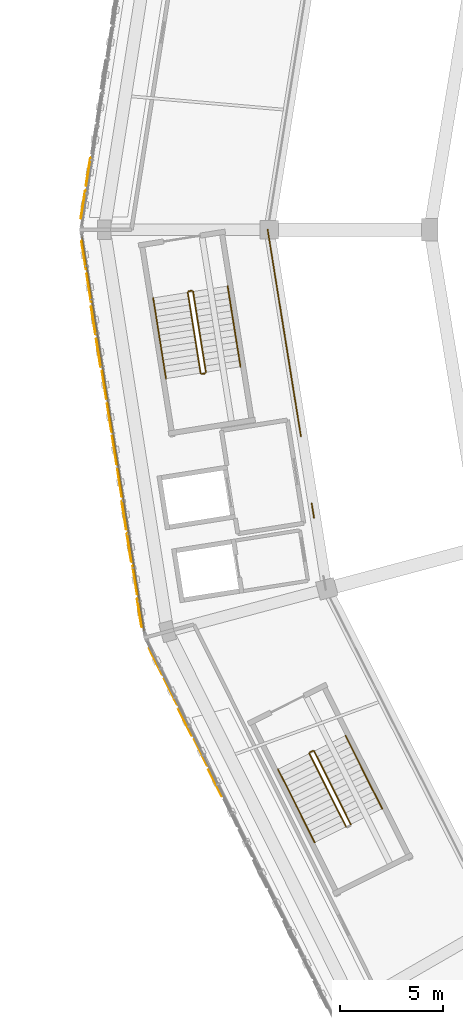
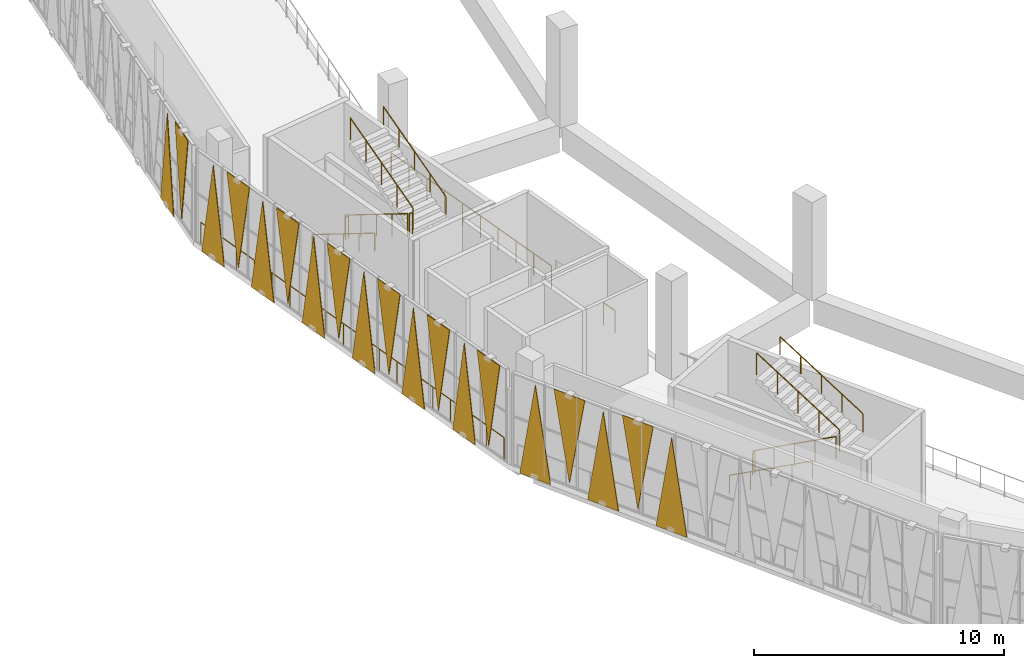
# One storey, part 88 of 108: 19 coverings, 14 railings.
"""IFC4 building model written with IfcOpenShell, lengths in metres."""

import ifcopenshell
import ifcopenshell.guid

model = None  # the IFC model being written
_history = None  # IfcOwnerHistory: only IFC2X3 demands one
_inside = {}  # id of a spatial element -> (the spatial element, [elements in it])
_under = {}  # id of a project, library or spatial element -> (it, [spatial elements below it])
_declared = {}  # id of a project -> (the project, [libraries it declares])
_typed = {}  # id of a type object -> (the type object, [elements of that type])
_made_of = {}  # id of a material, layer set ... -> (it, [elements and type objects made of it])


def new_model(schema):
    """Start an empty IFC model of exactly this schema.

    Asked for "IFC4X3", IfcOpenShell would pick the latest addendum, in which some entities
    have other attributes; the version numbers below select the first issue.
    IFC2X3 requires an IfcOwnerHistory on every rooted entity: one is made here for all.
    """
    global model, _history
    if schema == "IFC4X3":
        model = ifcopenshell.file(schema_version=(4, 3, 0, 0))
    else:
        model = ifcopenshell.file(schema=schema)
    _inside.clear()
    _under.clear()
    _declared.clear()
    _typed.clear()
    _made_of.clear()
    _history = None
    if model.schema == "IFC2X3":
        org = make("IfcOrganization", Name="unknown")
        user = make(
            "IfcPersonAndOrganization",
            ThePerson=make("IfcPerson", FamilyName="unknown"),
            TheOrganization=org,
        )
        app = make(
            "IfcApplication",
            ApplicationDeveloper=org,
            Version="unknown",
            ApplicationFullName="unknown",
            ApplicationIdentifier="unknown",
        )
        _history = make(
            "IfcOwnerHistory",
            OwningUser=user,
            OwningApplication=app,
            ChangeAction="ADDED",
            CreationDate=0,
        )
    return model


def make(cls, **values):
    """One entity of the class cls with the attributes given. An attribute that is None is left unset."""
    return model.create_entity(
        cls, **{name: value for name, value in values.items() if value is not None}
    )


def rooted(cls, **values):
    """An entity with a GlobalId (a new one), such as an element, a storey or a relation."""
    return make(cls, GlobalId=ifcopenshell.guid.new(), OwnerHistory=_history, **values)


def si_unit(unit_type, name, prefix=None):
    """IfcSIUnit, for example si_unit("LENGTHUNIT", "METRE", prefix="MILLI")."""
    return make("IfcSIUnit", UnitType=unit_type, Prefix=prefix, Name=name)


def assignment(units):
    """IfcUnitAssignment: the units of a project."""
    return None if units is None else make("IfcUnitAssignment", Units=units)


def point(xyz):
    """IfcCartesianPoint."""
    return None if xyz is None else make("IfcCartesianPoint", Coordinates=xyz)


def direction(xyz):
    """IfcDirection."""
    return None if xyz is None else make("IfcDirection", DirectionRatios=xyz)


def frame(location, z_axis=None, x_axis=None):
    """IfcAxis2Placement3D, a coordinate frame: its origin and axes. An axis left out is left unset."""
    return make(
        "IfcAxis2Placement3D",
        Location=point(location),
        Axis=direction(z_axis),
        RefDirection=direction(x_axis),
    )


def frame_2d(location, x_axis=None):
    """IfcAxis2Placement2D, a coordinate frame in the plane: its origin and x axis."""
    return make(
        "IfcAxis2Placement2D", Location=point(location), RefDirection=direction(x_axis)
    )


def origin():
    """The frame at (0, 0, 0) with its axes left unset."""
    return frame((0.0, 0.0, 0.0))


def origin_2d():
    """The frame at (0, 0) in the plane with its x axis left unset."""
    return frame_2d((0.0, 0.0))


def place(relative_to, where):
    """IfcLocalPlacement: puts the frame where relative to a parent placement (None: the world)."""
    return make(
        "IfcLocalPlacement", PlacementRelTo=relative_to, RelativePlacement=where
    )


def context(
    kind, dimensions, precision=None, world=None, true_north=None, identifier=None
):
    """IfcGeometricRepresentationContext, for example the 3D "Model" context."""
    return make(
        "IfcGeometricRepresentationContext",
        ContextIdentifier=identifier,
        ContextType=kind,
        CoordinateSpaceDimension=dimensions,
        Precision=precision,
        WorldCoordinateSystem=world,
        TrueNorth=true_north,
    )


def subcontext(parent, identifier, kind, view, scale=None):
    """IfcGeometricRepresentationSubContext, for example "Body" below "Model"."""
    return make(
        "IfcGeometricRepresentationSubContext",
        ContextIdentifier=identifier,
        ContextType=kind,
        ParentContext=parent,
        TargetScale=scale,
        TargetView=view,
    )


def project(units=None, contexts=None):
    """IfcProject with its units and contexts."""
    return rooted(
        "IfcProject",
        Name="project",
        RepresentationContexts=contexts,
        UnitsInContext=assignment(units),
    )


def spatial(cls, under=None, at=None, **own):
    """A site, building, storey or space (cls), placed at a placement, below another one or the project."""
    s = rooted(cls, ObjectPlacement=at, **own)
    if under is not None:
        _under.setdefault(under.id(), (under, []))[1].append(s)
    return s


def polyline(points):
    """IfcPolyline through the points."""
    return make("IfcPolyline", Points=[point(p) for p in points])


def profile(cls, at=None, kind="AREA", **sizes):
    """A parametric profile (cls). Its sizes go by their IFC names, for example OverallWidth=200.0."""
    return make(cls, ProfileType=kind, Position=at, **sizes)


def circle(**sizes):
    """IfcCircleProfileDef."""
    return profile("IfcCircleProfileDef", **sizes)


def outline(outer, holes=None, kind="AREA"):
    """IfcArbitraryClosedProfileDef: a profile drawn as a closed curve; with holes, ...WithVoids."""
    if holes is None:
        return make("IfcArbitraryClosedProfileDef", ProfileType=kind, OuterCurve=outer)
    return make(
        "IfcArbitraryProfileDefWithVoids",
        ProfileType=kind,
        OuterCurve=outer,
        InnerCurves=holes,
    )


def extrude(swept, where, along, depth):
    """IfcExtrudedAreaSolid: the profile swept, set in the frame where, extruded along a direction by depth."""
    return make(
        "IfcExtrudedAreaSolid",
        SweptArea=swept,
        Position=where,
        ExtrudedDirection=direction(along),
        Depth=depth,
    )


def shape(context_of_items, identifier, shape_type, items):
    """IfcShapeRepresentation: the items that make up one representation, for example the "Body"."""
    return make(
        "IfcShapeRepresentation",
        ContextOfItems=context_of_items,
        RepresentationIdentifier=identifier,
        RepresentationType=shape_type,
        Items=items,
    )


def material(Name=None, Category=None):
    """IfcMaterial."""
    return make("IfcMaterial", Name=Name, Category=Category)


def layer(
    of_material, thickness, ventilated=None, Name=None, Category=None, Priority=None
):
    """IfcMaterialLayer: one layer of a wall or slab, of a material (None: an air gap)."""
    return make(
        "IfcMaterialLayer",
        Material=of_material,
        LayerThickness=thickness,
        IsVentilated=ventilated,
        Name=Name,
        Category=Category,
        Priority=Priority,
    )


def layer_set(layers, Name=None):
    """IfcMaterialLayerSet."""
    return make("IfcMaterialLayerSet", MaterialLayers=layers, LayerSetName=Name)


def made_of(thing, what):
    """Note that an element or type object is made of a material, layer set ...; save() writes the relation."""
    if what is not None:
        _made_of.setdefault(what.id(), (what, []))[1].append(thing)
    return thing


def type_object(cls, material=None, **own):
    """A type object (cls), such as IfcWallType, which elements share."""
    return made_of(rooted(cls, **own), material)


def element(
    cls,
    number,
    at=None,
    inside=None,
    cuts=None,
    type_object=None,
    material=None,
    context=None,
    identifier="Body",
    shape_type=None,
    held_by="IfcProductDefinitionShape",
    body=None,
    shapes=None,
    **own,
):
    """One element of the class cls, such as IfcWall. Its Tag is "e" and its number.

    at: its placement. inside: the storey or other place that contains it. cuts: it is an
    opening in that element (IfcRelVoidsElement). A single representation is given by context,
    identifier, shape_type and body (its items); several are given by shapes. held_by: the class
    of the entity that holds the representations. save() writes the other relations.
    """
    e = rooted(cls, Tag="e%d" % number, ObjectPlacement=at, **own)
    if body is not None:
        shapes = [shape(context, identifier, shape_type, body)]
    if shapes is not None:
        e.Representation = make(held_by, Representations=shapes)
    if inside is not None:
        _inside.setdefault(inside.id(), (inside, []))[1].append(e)
    if cuts is not None:
        rooted(
            "IfcRelVoidsElement", RelatingBuildingElement=cuts, RelatedOpeningElement=e
        )
    if type_object is not None:
        _typed.setdefault(type_object.id(), (type_object, []))[1].append(e)
    return made_of(e, material)


def aggregate(whole, parts):
    """IfcRelAggregates: a whole, such as a stair, and the parts it consists of."""
    return rooted("IfcRelAggregates", RelatingObject=whole, RelatedObjects=parts)


def save(model, path):
    """Write the relations noted so far, then the file.

    IfcRelAggregates (storeys below a building ...), IfcRelContainedInSpatialStructure (elements
    in a storey), IfcRelDefinesByType, IfcRelAssociatesMaterial and IfcRelDeclares: one each for
    every whole, place, type object, material and project.
    """
    for whole, parts in _under.values():
        aggregate(whole, parts)
    for where, things in _inside.values():
        rooted(
            "IfcRelContainedInSpatialStructure",
            RelatedElements=things,
            RelatingStructure=where,
        )
    for kind, things in _typed.values():
        rooted("IfcRelDefinesByType", RelatedObjects=things, RelatingType=kind)
    for what, things in _made_of.values():
        rooted("IfcRelAssociatesMaterial", RelatedObjects=things, RelatingMaterial=what)
    for by, libraries in _declared.values():
        rooted("IfcRelDeclares", RelatingContext=by, RelatedDefinitions=libraries)
    model.write(path)


model = new_model("IFC4")

# Units and contexts
model_context = context("Model", 3, precision=1e-05, world=origin(), true_north=direction((0.0, 1.0)))
body_context = subcontext(model_context, "Body", "Model", "MODEL_VIEW")
ifc_project = project(units=[si_unit("LENGTHUNIT", "METRE"), si_unit("AREAUNIT", "SQUARE_METRE"), si_unit("VOLUMEUNIT", "CUBIC_METRE"), si_unit("PLANEANGLEUNIT", "RADIAN"), si_unit("MASSUNIT", "GRAM", prefix="KILO")], contexts=[model_context])

# Site, building, storey
site_placement = place(None, origin())
site = spatial("IfcSite", under=ifc_project, at=site_placement, CompositionType="ELEMENT")
building_placement = place(site_placement, origin())
building = spatial("IfcBuilding", under=site, at=building_placement, Name="Zevraka Park Crest Stadium", CompositionType="ELEMENT")
storey_placement = place(building_placement, frame((0.0, 0.0, 19.800048828125)))
storey = spatial("IfcBuildingStorey", under=building, at=storey_placement, Name="L04", CompositionType="ELEMENT", Elevation=19.800048828125)

# Coverings
ifc_material_1 = material(Name="Architectural golden-bronze perforated aluminium", Category="aluminium")
ifc_layer = layer(ifc_material_1, 0.034912109375)
ifc_layer_set = layer_set([ifc_layer], Name="Architectural golden-bronze perforated aluminium")
covering_type = type_object("IfcCoveringType", Name="CLD01", PredefinedType="CLADDING", material=ifc_layer_set)
covering_1_placement = place(storey_placement, frame((21.053955078125, 95.51708984375, -0.219970703125), z_axis=(0.987868917656, -0.155290000313, 0.000131652662), x_axis=(-0.155290001659, -0.987868926217, 0.0)))
element("IfcCovering", 1, at=covering_1_placement, inside=storey, type_object=covering_type, Name="Triangular Golden-Bronze Perforated Cladding L04-11-11", PredefinedType="CLADDING", context=body_context, shape_type="SweptSolid", body=[
    extrude(outline(polyline([(0.0, 0.0), (1.4353814685014366, 3.3881317890172014e-21), (0.7177855157458715, -4.579834024064811), (0.0, 0.0)])), origin(), (0.0, 0.0, -1.0), 0.034912109375),
])
covering_2_placement = place(storey_placement, frame((20.58203125, 92.52392578125, 4.52001953125), z_axis=(0.987747781046, -0.156058703518, 4.5761159e-05), x_axis=(0.156058703682, 0.987747782081, 0.0)))
element("IfcCovering", 2, at=covering_2_placement, inside=storey, type_object=covering_type, Name="Triangular Golden-Bronze Perforated Cladding L04-11-12", PredefinedType="CLADDING", context=body_context, shape_type="SweptSolid", body=[
    extrude(outline(polyline([(0.0, 0.0), (1.4345688375175898, 0.0), (0.7168211701718025, -4.300048832627331), (0.0, 0.0)])), origin(), (0.0, 0.0, -1.0), 0.034912109375),
])
covering_3_placement = place(storey_placement, frame((20.58203125, 91.47607421875, -0.219970703125), z_axis=(-0.987747781169, -0.156058703538, 4.2965579e-05), x_axis=(0.156058703682, -0.987747782081, 0.0)))
element("IfcCovering", 3, at=covering_3_placement, inside=storey, type_object=covering_type, Name="Triangular Golden-Bronze Perforated Cladding L04-12-1", PredefinedType="CLADDING", context=body_context, shape_type="SweptSolid", body=[
    extrude(outline(polyline([(0.0, 0.0), (1.4345688375175898, 0.0), (0.7168211701718025, 4.579833988602281), (0.0, 0.0)])), origin(), (0.0, 0.0, -1.0), 0.034912109375),
])
covering_4_placement = place(storey_placement, frame((21.053955078125, 88.48291015625, 4.52001953125), z_axis=(-0.987868916505, -0.155290000132, 0.000140218719), x_axis=(-0.155290001659, 0.987868926217, 0.0)))
element("IfcCovering", 4, at=covering_4_placement, inside=storey, type_object=covering_type, Name="Triangular Golden-Bronze Perforated Cladding L04-12-2", PredefinedType="CLADDING", context=body_context, shape_type="SweptSolid", body=[
    extrude(outline(polyline([(0.0, 0.0), (1.4353814685014366, 0.0), (0.7177855157458715, 4.300048870397252), (0.0, 0.0)])), origin(), (0.0, 0.0, -1.0), 0.034912109375),
])
covering_5_placement = place(storey_placement, frame((21.0791015625, 88.324951171875, -0.219970703125), z_axis=(0.987868917656, 0.155290000313, 0.000131652662), x_axis=(0.155290001659, -0.987868926217, 0.0)))
element("IfcCovering", 5, at=covering_5_placement, inside=storey, type_object=covering_type, Name="Triangular Golden-Bronze Perforated Cladding L04-12-3", PredefinedType="CLADDING", context=body_context, shape_type="SweptSolid", body=[
    extrude(outline(polyline([(0.0, 0.0), (1.4353814685014366, -3.3881317890172014e-21), (0.717595952755565, -4.579834024064811), (0.0, 0.0)])), origin(), (0.0, 0.0, -1.0), 0.034912109375),
])
covering_6_placement = place(storey_placement, frame((21.550048828125, 85.3310546875, 4.52001953125), z_axis=(0.987842814257, 0.155455980067, 0.000112172011), x_axis=(-0.155455981045, 0.987842820472, 0.0)))
element("IfcCovering", 6, at=covering_6_placement, inside=storey, type_object=covering_type, Name="Triangular Golden-Bronze Perforated Cladding L04-12-4", PredefinedType="CLADDING", context=body_context, shape_type="SweptSolid", body=[
    extrude(outline(polyline([(0.0, 0.0), (1.435419401360921, -3.3881317890172014e-21), (0.7176337944397156, -4.3000488551778115), (0.0, 0.0)])), origin(), (0.0, 0.0, -1.0), 0.034912109375),
])
covering_7_placement = place(storey_placement, frame((21.574951171875, 85.173095703125, -0.219970703125), z_axis=(-0.987846923842, -0.155429865449, 0.000109462593), x_axis=(0.15542986638, -0.98784692976, 0.0)))
element("IfcCovering", 7, at=covering_7_placement, inside=storey, type_object=covering_type, Name="Triangular Golden-Bronze Perforated Cladding L04-12-5", PredefinedType="CLADDING", context=body_context, shape_type="SweptSolid", body=[
    extrude(outline(polyline([(0.0, 0.0), (1.435660574426177, 3.3881317890172014e-21), (0.7177855939191139, 4.579834011812922), (0.0, 0.0)])), origin(), (0.0, 0.0, -1.0), 0.034912109375),
])
covering_8_placement = place(storey_placement, frame((22.047119140625, 82.178955078125, 4.52001953125), z_axis=(-0.987738132508, -0.156119766812, 0.0), x_axis=(-0.156119766812, 0.987738132508, 0.0)))
element("IfcCovering", 8, at=covering_8_placement, inside=storey, type_object=covering_type, Name="Triangular Golden-Bronze Perforated Cladding L04-12-6", PredefinedType="CLADDING", context=body_context, shape_type="SweptSolid", body=[
    extrude(outline(polyline([(0.0, 0.0), (1.4355715379737295, 0.0), (0.7177857689868647, 4.300048828125), (0.0, 0.0)])), origin(), (0.0, 0.0, -1.0), 0.034912109375),
])
covering_9_placement = place(storey_placement, frame((22.071044921875, 82.02099609375, -0.219970703125), z_axis=(-0.987764343891, -0.155953840108, 2.6327745e-05), x_axis=(0.155953840162, -0.987764344233, 0.0)))
element("IfcCovering", 9, at=covering_9_placement, inside=storey, type_object=covering_type, Name="Triangular Golden-Bronze Perforated Cladding L04-12-7", PredefinedType="CLADDING", context=body_context, shape_type="SweptSolid", body=[
    extrude(outline(polyline([(0.0, 0.0), (1.4355334430507345, 0.0), (0.7177857588593715, 4.579833985962257), (0.0, 0.0)])), origin(), (0.0, 0.0, -1.0), 0.034912109375),
])
covering_10_placement = place(storey_placement, frame((22.54296875, 79.027099609375, 4.52001953125), z_axis=(-0.987868916505, -0.155290000132, 0.000140218719), x_axis=(-0.155290001659, 0.987868926217, 0.0)))
element("IfcCovering", 10, at=covering_10_placement, inside=storey, type_object=covering_type, Name="Triangular Golden-Bronze Perforated Cladding L04-12-8", PredefinedType="CLADDING", context=body_context, shape_type="SweptSolid", body=[
    extrude(outline(polyline([(0.0, 0.0), (1.4353814685014366, 0.0), (0.7177855157458715, 4.300048870397252), (0.0, 0.0)])), origin(), (0.0, 0.0, -1.0), 0.034912109375),
])
covering_11_placement = place(storey_placement, frame((22.568115234375, 78.868896484375, -0.219970703125), z_axis=(0.987868917656, 0.155290000313, 0.000131652662), x_axis=(0.155290001659, -0.987868926217, 0.0)))
element("IfcCovering", 11, at=covering_11_placement, inside=storey, type_object=covering_type, Name="Triangular Golden-Bronze Perforated Cladding L04-12-9", PredefinedType="CLADDING", context=body_context, shape_type="SweptSolid", body=[
    extrude(outline(polyline([(0.0, 0.0), (1.4353814685014366, -3.3881317890172014e-21), (0.717595952755565, -4.579834024064811), (0.0, 0.0)])), origin(), (0.0, 0.0, -1.0), 0.034912109375),
])
covering_12_placement = place(storey_placement, frame((23.0390625, 75.875, 4.52001953125), z_axis=(0.987842814257, 0.155455980067, 0.000112172011), x_axis=(-0.155455981045, 0.987842820472, 0.0)))
element("IfcCovering", 12, at=covering_12_placement, inside=storey, type_object=covering_type, Name="Triangular Golden-Bronze Perforated Cladding L04-12-10", PredefinedType="CLADDING", context=body_context, shape_type="SweptSolid", body=[
    extrude(outline(polyline([(0.0, 0.0), (1.435419401360921, -3.3881317890172014e-21), (0.7176337944397156, -4.3000488551778115), (0.0, 0.0)])), origin(), (0.0, 0.0, -1.0), 0.034912109375),
])
covering_13_placement = place(storey_placement, frame((23.06396484375, 75.717041015625, -0.219970703125), z_axis=(-0.987842814993, -0.155455980183, 0.000105319347), x_axis=(0.155455981045, -0.987842820472, 0.0)))
element("IfcCovering", 13, at=covering_13_placement, inside=storey, type_object=covering_type, Name="Triangular Golden-Bronze Perforated Cladding L04-12-11", PredefinedType="CLADDING", context=body_context, shape_type="SweptSolid", body=[
    extrude(outline(polyline([(0.0, 0.0), (1.435419401360921, 0.0), (0.7177856069212052, 4.579834009775138), (0.0, 0.0)])), origin(), (0.0, 0.0, -1.0), 0.034912109375),
])
covering_14_placement = place(storey_placement, frame((23.535888671875, 72.72412109375, 4.52001953125), z_axis=(0.98774778208, 0.156058703681, 1.459023e-06), x_axis=(-0.156058703682, 0.987747782081, 0.0)))
element("IfcCovering", 14, at=covering_14_placement, inside=storey, type_object=covering_type, Name="Triangular Golden-Bronze Perforated Cladding L04-12-12", PredefinedType="CLADDING", context=body_context, shape_type="SweptSolid", body=[
    extrude(outline(polyline([(0.0, 0.0), (1.4345688375175898, 0.0), (0.7165419205414895, -4.300048828129577), (0.0, 0.0)])), origin(), (0.0, 0.0, -1.0), 0.034912109375),
])
covering_15_placement = place(storey_placement, frame((23.85302734375, 71.72509765625, -0.219970703125), z_axis=(-0.895938354409, -0.44417841522, 2.3476073e-05), x_axis=(0.444178415342, -0.895938354656, 0.0)))
element("IfcCovering", 15, at=covering_15_placement, inside=storey, type_object=covering_type, Name="Triangular Golden-Bronze Perforated Cladding L04-13-1", PredefinedType="CLADDING", context=body_context, shape_type="SweptSolid", body=[
    extrude(outline(polyline([(0.0, 0.0), (1.4812943665181721, 0.0), (0.740155492361385, 4.579833985637032), (0.0, 0.0)])), origin(), (0.0, 0.0, -1.0), 0.034912109375),
])
covering_16_placement = place(storey_placement, frame((25.239013671875, 68.927978515625, 4.52001953125), z_axis=(-0.896168164395, -0.443714541009, 0.000164991326), x_axis=(-0.443714547049, 0.896168176593, 0.0)))
element("IfcCovering", 16, at=covering_16_placement, inside=storey, type_object=covering_type, Name="Triangular Golden-Bronze Perforated Cladding L04-13-2", PredefinedType="CLADDING", context=body_context, shape_type="SweptSolid", body=[
    extrude(outline(polyline([(0.0, 0.0), (1.480642061984624, -1.3552527156068805e-20), (0.7402636662712996, 4.300048886653262), (0.0, 0.0)])), origin(), (0.0, 0.0, -1.0), 0.034912109375),
])
covering_17_placement = place(storey_placement, frame((25.31005859375, 68.783935546875, -0.219970703125), z_axis=(0.895775588199, 0.444506575252, 1.2028067e-05), x_axis=(0.444506575285, -0.895775588264, 0.0)))
element("IfcCovering", 17, at=covering_17_placement, inside=storey, type_object=covering_type, Name="Triangular Golden-Bronze Perforated Cladding L04-13-3", PredefinedType="CLADDING", context=body_context, shape_type="SweptSolid", body=[
    extrude(outline(polyline([(0.0, 0.0), (1.4802007910768735, 0.0), (0.7399367868758943, -4.579833984706293), (0.0, 0.0)])), origin(), (0.0, 0.0, -1.0), 0.034912109375),
])
covering_18_placement = place(storey_placement, frame((26.696044921875, 65.987060546875, 4.52001953125), z_axis=(-0.89616817301, -0.443714545275, 8.941399e-05), x_axis=(-0.443714547049, 0.896168176593, 0.0)))
element("IfcCovering", 18, at=covering_18_placement, inside=storey, type_object=covering_type, Name="Triangular Golden-Bronze Perforated Cladding L04-13-4", PredefinedType="CLADDING", context=body_context, shape_type="SweptSolid", body=[
    extrude(outline(polyline([(0.0, 0.0), (1.480642061984624, 0.0), (0.7409200394475148, 4.300048845314149), (0.0, 0.0)])), origin(), (0.0, 0.0, -1.0), 0.034912109375),
])
covering_19_placement = place(storey_placement, frame((26.76708984375, 65.843994140625, -0.219970703125), z_axis=(0.895905827127, 0.444244011796, 8.3083477e-05), x_axis=(0.444244013329, -0.89590583022, 0.0)))
element("IfcCovering", 19, at=covering_19_placement, inside=storey, type_object=covering_type, Name="Triangular Golden-Bronze Perforated Cladding L04-13-5", PredefinedType="CLADDING", context=body_context, shape_type="SweptSolid", body=[
    extrude(outline(polyline([(0.0, 0.0), (1.4810756355382801, 0.0), (0.7410304062869342, -4.579834000181987), (0.0, 0.0)])), origin(), (0.0, 0.0, -1.0), 0.034912109375),
])

# Railings
ifc_material_2 = material(Name="Galvanised and bronze-finished steel balustrade", Category="steel")
railing_type_1 = type_object("IfcRailingType", Name="GR01", PredefinedType="GUARDRAIL", material=ifc_material_2)
railing_1_placement = place(storey_placement, frame((23.6298828125, 72.575927734375, 0.0)))
element("IfcRailing", 20, at=railing_1_placement, inside=storey, type_object=railing_type_1, Name="Deck Edge Protection Guardrail GR01 L04-24", PredefinedType="GUARDRAIL", context=body_context, shape_type="SweptSolid", body=[
    extrude(circle(Radius=0.02392578125, at=origin_2d()), frame((0.0, 0.0, 1.076171875), z_axis=(-0.155581035886, 0.987823132586, 0.0), x_axis=(-0.987823132586, -0.155581035886, 0.0)), (0.0, 0.0, 1.0), 19.288818359375),
    extrude(circle(Radius=0.02099609375, at=origin_2d()), origin(), (0.0, 0.0, 1.0), 1.052001953125),
    extrude(circle(Radius=0.02099609375, at=origin_2d()), frame((-0.176513671875, 1.120849609375, 0.0)), (0.0, 0.0, 1.0), 1.052001953125),
    extrude(circle(Radius=0.02099609375, at=origin_2d()), frame((-0.35302734375, 2.24169921875, 0.0)), (0.0, 0.0, 1.0), 1.052001953125),
    extrude(circle(Radius=0.02099609375, at=origin_2d()), frame((-0.529541015625, 3.362548828125, 0.0)), (0.0, 0.0, 1.0), 1.052001953125),
    extrude(circle(Radius=0.02099609375, at=origin_2d()), frame((-0.7060546875, 4.4833984375, 0.0)), (0.0, 0.0, 1.0), 1.052001953125),
    extrude(circle(Radius=0.02099609375, at=origin_2d()), frame((-0.882568359375, 5.60400390625, 0.0)), (0.0, 0.0, 1.0), 1.052001953125),
    extrude(circle(Radius=0.02099609375, at=origin_2d()), frame((-1.05908203125, 6.724853515625, 0.0)), (0.0, 0.0, 1.0), 1.052001953125),
    extrude(circle(Radius=0.02099609375, at=origin_2d()), frame((-1.235595703125, 7.845703125, 0.0)), (0.0, 0.0, 1.0), 1.052001953125),
    extrude(circle(Radius=0.02099609375, at=origin_2d()), frame((-1.412109375, 8.966552734375, 0.0)), (0.0, 0.0, 1.0), 1.052001953125),
    extrude(circle(Radius=0.02099609375, at=origin_2d()), frame((-1.5888671875, 10.08740234375, 0.0)), (0.0, 0.0, 1.0), 1.052001953125),
    extrude(circle(Radius=0.02099609375, at=origin_2d()), frame((-1.765380859375, 11.208251953125, 0.0)), (0.0, 0.0, 1.0), 1.052001953125),
    extrude(circle(Radius=0.02099609375, at=origin_2d()), frame((-1.94189453125, 12.3291015625, 0.0)), (0.0, 0.0, 1.0), 1.052001953125),
    extrude(circle(Radius=0.02099609375, at=origin_2d()), frame((-2.118408203125, 13.449951171875, 0.0)), (0.0, 0.0, 1.0), 1.052001953125),
    extrude(circle(Radius=0.02099609375, at=origin_2d()), frame((-2.294921875, 14.570556640625, 0.0)), (0.0, 0.0, 1.0), 1.052001953125),
    extrude(circle(Radius=0.02099609375, at=origin_2d()), frame((-2.471435546875, 15.69140625, 0.0)), (0.0, 0.0, 1.0), 1.052001953125),
    extrude(circle(Radius=0.02099609375, at=origin_2d()), frame((-2.64794921875, 16.812255859375, 0.0)), (0.0, 0.0, 1.0), 1.052001953125),
    extrude(circle(Radius=0.02099609375, at=origin_2d()), frame((-2.824462890625, 17.93310546875, 0.0)), (0.0, 0.0, 1.0), 1.052001953125),
    extrude(circle(Radius=0.02099609375, at=origin_2d()), frame((-3.0009765625, 19.053955078125, 0.0)), (0.0, 0.0, 1.0), 1.052001953125),
])
railing_2_placement = place(storey_placement, frame((29.631103515625, 92.0029296875, 0.0)))
element("IfcRailing", 21, at=railing_2_placement, inside=storey, type_object=railing_type_1, Name="Deck Edge Protection Guardrail GR01 L04-51", PredefinedType="GUARDRAIL", context=body_context, shape_type="SweptSolid", body=[
    extrude(circle(Radius=0.02392578125, at=origin_2d()), frame((0.0, 0.0, 1.076171875), z_axis=(0.158648795863, -0.987335079682, 0.0), x_axis=(0.987335079682, 0.158648795863, 0.0)), (0.0, 0.0, 1.0), 10.153564453125),
    extrude(circle(Radius=0.02099609375, at=origin_2d()), origin(), (0.0, 0.0, 1.0), 1.052001953125),
    extrude(circle(Radius=0.02099609375, at=origin_2d()), frame((0.178955078125, -1.11376953125, 0.0)), (0.0, 0.0, 1.0), 1.052001953125),
    extrude(circle(Radius=0.02099609375, at=origin_2d()), frame((0.35791015625, -2.227783203125, 0.0)), (0.0, 0.0, 1.0), 1.052001953125),
    extrude(circle(Radius=0.02099609375, at=origin_2d()), frame((0.536865234375, -3.341552734375, 0.0)), (0.0, 0.0, 1.0), 1.052001953125),
    extrude(circle(Radius=0.02099609375, at=origin_2d()), frame((0.7158203125, -4.45556640625, 0.0)), (0.0, 0.0, 1.0), 1.052001953125),
    extrude(circle(Radius=0.02099609375, at=origin_2d()), frame((0.89501953125, -5.5693359375, 0.0)), (0.0, 0.0, 1.0), 1.052001953125),
    extrude(circle(Radius=0.02099609375, at=origin_2d()), frame((1.073974609375, -6.683349609375, 0.0)), (0.0, 0.0, 1.0), 1.052001953125),
    extrude(circle(Radius=0.02099609375, at=origin_2d()), frame((1.2529296875, -7.797119140625, 0.0)), (0.0, 0.0, 1.0), 1.052001953125),
    extrude(circle(Radius=0.02099609375, at=origin_2d()), frame((1.431884765625, -8.9111328125, 0.0)), (0.0, 0.0, 1.0), 1.052001953125),
    extrude(circle(Radius=0.02099609375, at=origin_2d()), frame((1.61083984375, -10.02490234375, 0.0)), (0.0, 0.0, 1.0), 1.052001953125),
])
railing_3_placement = place(storey_placement, frame((31.76611328125, 78.72607421875, 0.0)))
element("IfcRailing", 22, at=railing_3_placement, inside=storey, type_object=railing_type_1, Name="Deck Edge Protection Guardrail GR01 L04-52", PredefinedType="GUARDRAIL", context=body_context, shape_type="SweptSolid", body=[
    extrude(circle(Radius=0.02392578125, at=origin_2d()), frame((0.0, 0.0, 1.076171875), z_axis=(0.158867997908, -0.987299832493, 0.0), x_axis=(0.987299832493, 0.158867997908, 0.0)), (0.0, 0.0, 1.0), 0.716064453125),
    extrude(circle(Radius=0.02099609375, at=origin_2d()), origin(), (0.0, 0.0, 1.0), 1.052001953125),
    extrude(circle(Radius=0.02099609375, at=origin_2d()), frame((0.11376953125, -0.70703125, 0.0)), (0.0, 0.0, 1.0), 1.052001953125),
])
ifc_material_3 = material(Name="Powder-coated tubular steel stairwell guard", Category="steel")
railing_type_2 = type_object("IfcRailingType", Name="GR03", PredefinedType="GUARDRAIL", material=ifc_material_3)
railing_4_placement = place(storey_placement, frame((25.75341796875, 88.960205078125, 0.17138671875)))
element("IfcRailing", 23, at=railing_4_placement, inside=storey, type_object=railing_type_2, Name="L04 ST13 stair guard 1", PredefinedType="GUARDRAIL", context=body_context, shape_type="SweptSolid", body=[
    extrude(circle(Radius=0.02392578125, at=origin_2d()), frame((0.0, 0.0, 1.076171875), z_axis=(0.137093904715, -0.860889602123, 0.489973830165), x_axis=(0.987556409005, 0.157265186968, 0.0)), (0.0, 0.0, 1.0), 4.54833984375),
    extrude(circle(Radius=0.02099609375, at=origin_2d()), origin(), (0.0, 0.0, 1.0), 1.052001953125),
    extrude(circle(Radius=0.02099609375, at=origin_2d()), frame((0.15576171875, -0.97900390625, 0.55712890625)), (0.0, 0.0, 1.0), 1.052001953125),
    extrude(circle(Radius=0.02099609375, at=origin_2d()), frame((0.311767578125, -1.957763671875, 1.1142578125)), (0.0, 0.0, 1.0), 1.052001953125),
    extrude(circle(Radius=0.02099609375, at=origin_2d()), frame((0.4677734375, -2.9365234375, 1.67138671875)), (0.0, 0.0, 1.0), 1.052001953125),
    extrude(circle(Radius=0.02099609375, at=origin_2d()), frame((0.62353515625, -3.91552734375, 2.228515625)), (0.0, 0.0, 1.0), 1.052001953125),
])
railing_5_placement = place(storey_placement, frame((26.43408203125, 85.003173828125, 2.39990234375)))
element("IfcRailing", 24, at=railing_5_placement, inside=storey, type_object=railing_type_2, Name="L04 ST13 stair guard 2", PredefinedType="GUARDRAIL", context=body_context, shape_type="SweptSolid", body=[
    extrude(circle(Radius=0.02392578125, at=origin_2d()), frame((0.0, 0.0, 1.076171875), z_axis=(0.987601795403, 0.15697991501, 0.0), x_axis=(-0.15697991501, 0.987601795403, 0.0)), (0.0, 0.0, 1.0), 0.16015625),
    extrude(circle(Radius=0.02099609375, at=origin_2d()), origin(), (0.0, 0.0, 1.0), 1.052001953125),
    extrude(circle(Radius=0.02099609375, at=origin_2d()), frame((0.158203125, 0.025146484375, 0.0)), (0.0, 0.0, 1.0), 1.052001953125),
])
railing_6_placement = place(storey_placement, frame((26.6337890625, 85.08544921875, 2.5712890625)))
element("IfcRailing", 25, at=railing_6_placement, inside=storey, type_object=railing_type_2, Name="L04 ST13 stair guard 3", PredefinedType="GUARDRAIL", context=body_context, shape_type="SweptSolid", body=[
    extrude(circle(Radius=0.02392578125, at=origin_2d()), frame((0.0, 0.0, 1.076171875), z_axis=(-0.137083964475, 0.860880855998, 0.489991977954), x_axis=(-0.987557931786, -0.157255624277, 0.0)), (0.0, 0.0, 1.0), 4.548583984375),
    extrude(circle(Radius=0.02099609375, at=origin_2d()), origin(), (0.0, 0.0, 1.0), 1.052001953125),
    extrude(circle(Radius=0.02099609375, at=origin_2d()), frame((-0.15576171875, 0.97900390625, 0.55712890625)), (0.0, 0.0, 1.0), 1.052001953125),
    extrude(circle(Radius=0.02099609375, at=origin_2d()), frame((-0.311767578125, 1.9580078125, 1.1142578125)), (0.0, 0.0, 1.0), 1.052001953125),
    extrude(circle(Radius=0.02099609375, at=origin_2d()), frame((-0.4677734375, 2.936767578125, 1.671630859375)), (0.0, 0.0, 1.0), 1.052001953125),
    extrude(circle(Radius=0.02099609375, at=origin_2d()), frame((-0.62353515625, 3.915771484375, 2.228759765625)), (0.0, 0.0, 1.0), 1.052001953125),
])
railing_7_placement = place(storey_placement, frame((25.794921875, 89.017578125, 0.0)))
element("IfcRailing", 26, at=railing_7_placement, inside=storey, type_object=railing_type_2, Name="L04 ST13 stair guard 4", PredefinedType="GUARDRAIL", context=body_context, shape_type="SweptSolid", body=[
    extrude(circle(Radius=0.02392578125, at=origin_2d()), frame((0.0, 0.0, 1.076171875), z_axis=(0.987564153079, 0.157216549872, 0.0), x_axis=(-0.157216549872, 0.987564153079, 0.0)), (0.0, 0.0, 1.0), 0.159912109375),
    extrude(circle(Radius=0.02099609375, at=origin_2d()), origin(), (0.0, 0.0, 1.0), 1.052001953125),
    extrude(circle(Radius=0.02099609375, at=origin_2d()), frame((0.157958984375, 0.025146484375, 0.0)), (0.0, 0.0, 1.0), 1.052001953125),
])
railing_8_placement = place(storey_placement, frame((31.6533203125, 66.586669921875, 0.17138671875)))
element("IfcRailing", 27, at=railing_8_placement, inside=storey, type_object=railing_type_2, Name="L04 ST14 stair guard 1", PredefinedType="GUARDRAIL", context=body_context, shape_type="SweptSolid", body=[
    extrude(circle(Radius=0.02392578125, at=origin_2d()), frame((0.0, 0.0, 1.076171875), z_axis=(0.390499471061, -0.779388635026, 0.489962772763), x_axis=(0.894057440576, 0.447952333346, 0.0)), (0.0, 0.0, 1.0), 4.54833984375),
    extrude(circle(Radius=0.02099609375, at=origin_2d()), origin(), (0.0, 0.0, 1.0), 1.052001953125),
    extrude(circle(Radius=0.02099609375, at=origin_2d()), frame((0.444091796875, -0.88623046875, 0.55712890625)), (0.0, 0.0, 1.0), 1.052001953125),
    extrude(circle(Radius=0.02099609375, at=origin_2d()), frame((0.88818359375, -1.7724609375, 1.1142578125)), (0.0, 0.0, 1.0), 1.052001953125),
    extrude(circle(Radius=0.02099609375, at=origin_2d()), frame((1.33203125, -2.65869140625, 1.67138671875)), (0.0, 0.0, 1.0), 1.052001953125),
    extrude(circle(Radius=0.02099609375, at=origin_2d()), frame((1.776123046875, -3.544921875, 2.228515625)), (0.0, 0.0, 1.0), 1.052001953125),
])
railing_9_placement = place(storey_placement, frame((33.661865234375, 63.158203125, 2.5712890625)))
element("IfcRailing", 28, at=railing_9_placement, inside=storey, type_object=railing_type_2, Name="L04 ST14 stair guard 3", PredefinedType="GUARDRAIL", context=body_context, shape_type="SweptSolid", body=[
    extrude(circle(Radius=0.02392578125, at=origin_2d()), frame((0.0, 0.0, 1.076171875), z_axis=(-0.390443708506, 0.77938447175, 0.490013832135), x_axis=(-0.894082100069, -0.447903112666, 0.0)), (0.0, 0.0, 1.0), 4.54833984375),
    extrude(circle(Radius=0.02099609375, at=origin_2d()), origin(), (0.0, 0.0, 1.0), 1.052001953125),
    extrude(circle(Radius=0.02099609375, at=origin_2d()), frame((-0.44384765625, 0.88623046875, 0.55712890625)), (0.0, 0.0, 1.0), 1.052001953125),
    extrude(circle(Radius=0.02099609375, at=origin_2d()), frame((-0.887939453125, 1.7724609375, 1.1142578125)), (0.0, 0.0, 1.0), 1.052001953125),
    extrude(circle(Radius=0.02099609375, at=origin_2d()), frame((-1.33203125, 2.65869140625, 1.671630859375)), (0.0, 0.0, 1.0), 1.052001953125),
    extrude(circle(Radius=0.02099609375, at=origin_2d()), frame((-1.77587890625, 3.544921875, 2.228759765625)), (0.0, 0.0, 1.0), 1.052001953125),
])
railing_10_placement = place(storey_placement, frame((31.67578125, 66.65380859375, 0.0)))
element("IfcRailing", 29, at=railing_10_placement, inside=storey, type_object=railing_type_2, Name="L04 ST14 stair guard 4", PredefinedType="GUARDRAIL", context=body_context, shape_type="SweptSolid", body=[
    extrude(circle(Radius=0.02392578125, at=origin_2d()), frame((0.0, 0.0, 1.076171875), z_axis=(0.894427191, 0.4472135955, 0.0), x_axis=(-0.4472135955, 0.894427191, 0.0)), (0.0, 0.0, 1.0), 0.159912109375),
    extrude(circle(Radius=0.02099609375, at=origin_2d()), origin(), (0.0, 0.0, 1.0), 1.052001953125),
    extrude(circle(Radius=0.02099609375, at=origin_2d()), frame((0.14306640625, 0.071533203125, 0.0)), (0.0, 0.0, 1.0), 1.052001953125),
])
ifc_material_4 = material(Name="Brushed stainless steel continuous handrail", Category="steel")
railing_type_3 = type_object("IfcRailingType", Name="HR01", PredefinedType="HANDRAIL", material=ifc_material_4)
railing_11_placement = place(storey_placement, frame((24.074462890625, 88.69287109375, 0.17138671875)))
element("IfcRailing", 30, at=railing_11_placement, inside=storey, type_object=railing_type_3, Name="L04 ST13 stair handrail 1", PredefinedType="HANDRAIL", context=body_context, shape_type="SweptSolid", body=[
    extrude(circle(Radius=0.02392578125, at=origin_2d()), frame((0.0, 0.0, 0.8759765625), z_axis=(0.137093904715, -0.860889602123, 0.489973830165), x_axis=(0.987556409005, 0.157265186968, 0.0)), (0.0, 0.0, 1.0), 4.54833984375),
    extrude(circle(Radius=0.02099609375, at=origin_2d()), origin(), (0.0, 0.0, 1.0), 0.851806640625),
    extrude(circle(Radius=0.02099609375, at=origin_2d()), frame((0.15576171875, -0.97900390625, 0.55712890625)), (0.0, 0.0, 1.0), 0.851806640625),
    extrude(circle(Radius=0.02099609375, at=origin_2d()), frame((0.311767578125, -1.957763671875, 1.1142578125)), (0.0, 0.0, 1.0), 0.851806640625),
    extrude(circle(Radius=0.02099609375, at=origin_2d()), frame((0.4677734375, -2.9365234375, 1.67138671875)), (0.0, 0.0, 1.0), 0.851806640625),
    extrude(circle(Radius=0.02099609375, at=origin_2d()), frame((0.62353515625, -3.91552734375, 2.228515625)), (0.0, 0.0, 1.0), 0.851806640625),
])
railing_12_placement = place(storey_placement, frame((28.3125, 85.352783203125, 2.5712890625)))
element("IfcRailing", 31, at=railing_12_placement, inside=storey, type_object=railing_type_3, Name="L04 ST13 stair handrail 2", PredefinedType="HANDRAIL", context=body_context, shape_type="SweptSolid", body=[
    extrude(circle(Radius=0.02392578125, at=origin_2d()), frame((0.0, 0.0, 0.8759765625), z_axis=(-0.137083964475, 0.860880855998, 0.489991977954), x_axis=(-0.987557931786, -0.157255624277, 0.0)), (0.0, 0.0, 1.0), 4.548583984375),
    extrude(circle(Radius=0.02099609375, at=origin_2d()), origin(), (0.0, 0.0, 1.0), 0.851806640625),
    extrude(circle(Radius=0.02099609375, at=origin_2d()), frame((-0.15576171875, 0.97900390625, 0.55712890625)), (0.0, 0.0, 1.0), 0.851806640625),
    extrude(circle(Radius=0.02099609375, at=origin_2d()), frame((-0.311767578125, 1.9580078125, 1.1142578125)), (0.0, 0.0, 1.0), 0.851806640625),
    extrude(circle(Radius=0.02099609375, at=origin_2d()), frame((-0.4677734375, 2.936767578125, 1.671630859375)), (0.0, 0.0, 1.0), 0.851806640625),
    extrude(circle(Radius=0.02099609375, at=origin_2d()), frame((-0.62353515625, 3.915771484375, 2.228759765625)), (0.0, 0.0, 1.0), 0.851806640625),
])
railing_13_placement = place(storey_placement, frame((30.133544921875, 65.8251953125, 0.17138671875)))
element("IfcRailing", 32, at=railing_13_placement, inside=storey, type_object=railing_type_3, Name="L04 ST14 stair handrail 1", PredefinedType="HANDRAIL", context=body_context, shape_type="SweptSolid", body=[
    extrude(circle(Radius=0.02392578125, at=origin_2d()), frame((0.0, 0.0, 0.8759765625), z_axis=(0.39045397791, -0.779404971028, 0.489973042393), x_axis=(0.894082100069, 0.447903112666, 0.0)), (0.0, 0.0, 1.0), 4.54833984375),
    extrude(circle(Radius=0.02099609375, at=origin_2d()), origin(), (0.0, 0.0, 1.0), 0.851806640625),
    extrude(circle(Radius=0.02099609375, at=origin_2d()), frame((0.44384765625, -0.88623046875, 0.55712890625)), (0.0, 0.0, 1.0), 0.851806640625),
    extrude(circle(Radius=0.02099609375, at=origin_2d()), frame((0.887939453125, -1.7724609375, 1.1142578125)), (0.0, 0.0, 1.0), 0.851806640625),
    extrude(circle(Radius=0.02099609375, at=origin_2d()), frame((1.33203125, -2.65869140625, 1.67138671875)), (0.0, 0.0, 1.0), 0.851806640625),
    extrude(circle(Radius=0.02099609375, at=origin_2d()), frame((1.77587890625, -3.544921875, 2.228515625)), (0.0, 0.0, 1.0), 0.851806640625),
])
railing_14_placement = place(storey_placement, frame((35.181884765625, 63.919677734375, 2.5712890625)))
element("IfcRailing", 33, at=railing_14_placement, inside=storey, type_object=railing_type_3, Name="L04 ST14 stair handrail 2", PredefinedType="HANDRAIL", context=body_context, shape_type="SweptSolid", body=[
    extrude(circle(Radius=0.02392578125, at=origin_2d()), frame((0.0, 0.0, 0.8759765625), z_axis=(-0.390489200891, 0.779368137037, 0.490003562191), x_axis=(-0.894057440576, -0.447952333346, 0.0)), (0.0, 0.0, 1.0), 4.54833984375),
    extrude(circle(Radius=0.02099609375, at=origin_2d()), origin(), (0.0, 0.0, 1.0), 0.851806640625),
    extrude(circle(Radius=0.02099609375, at=origin_2d()), frame((-0.444091796875, 0.88623046875, 0.55712890625)), (0.0, 0.0, 1.0), 0.851806640625),
    extrude(circle(Radius=0.02099609375, at=origin_2d()), frame((-0.88818359375, 1.7724609375, 1.1142578125)), (0.0, 0.0, 1.0), 0.851806640625),
    extrude(circle(Radius=0.02099609375, at=origin_2d()), frame((-1.33203125, 2.65869140625, 1.671630859375)), (0.0, 0.0, 1.0), 0.851806640625),
    extrude(circle(Radius=0.02099609375, at=origin_2d()), frame((-1.776123046875, 3.544921875, 2.228759765625)), (0.0, 0.0, 1.0), 0.851806640625),
])

save(model, "model.ifc")
